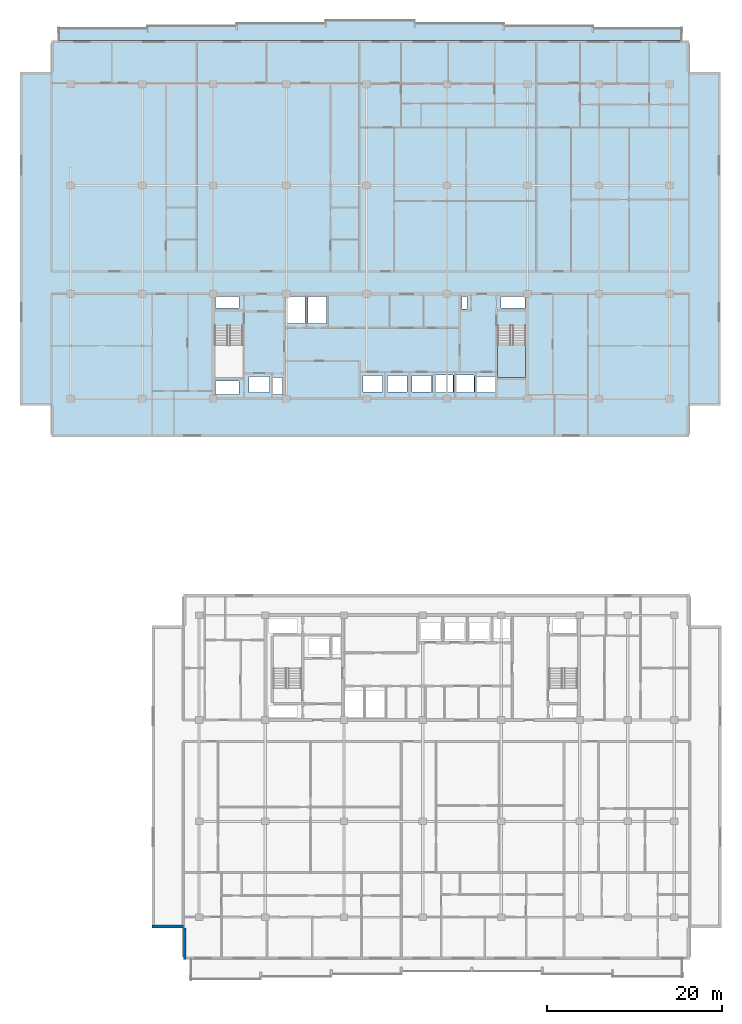
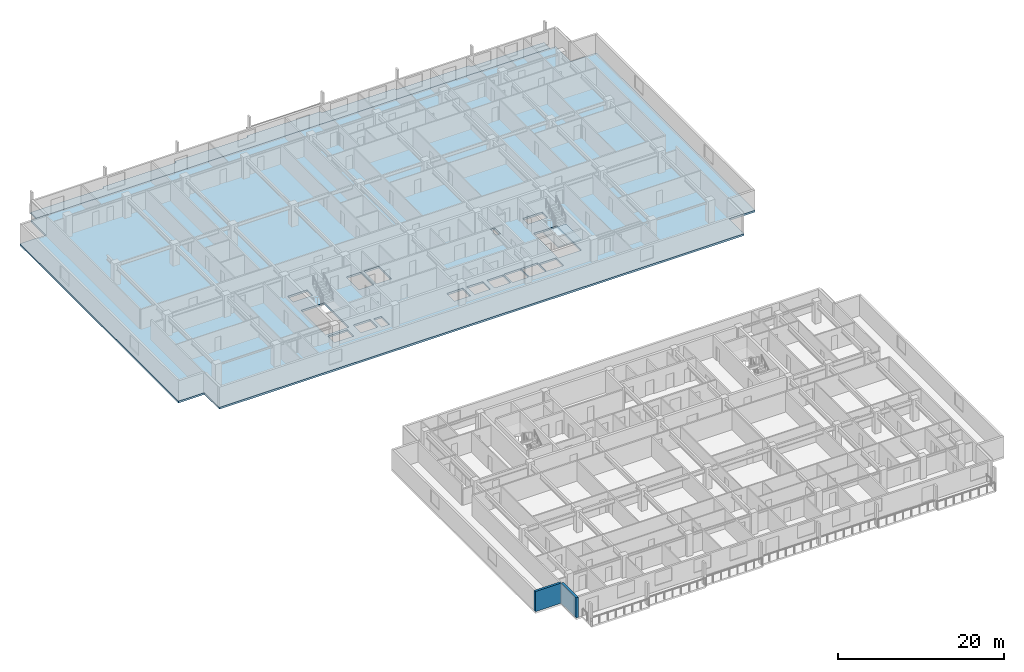
# One storey, part 3 of 22: 3 slabs, 2 walls, 1 element without a shape of its own.
"""IFC4 building model written with IfcOpenShell, lengths in metres."""

from ifc_helpers import new_model, si_unit, direction, frame, frame_2d, origin, place, context, subcontext, project, spatial, polyline, rectangle, outline, extrude, material, layer, layer_set, type_object, element, aggregate, save


model = new_model("IFC4")

# Units and contexts
model_context = context("Model", 3, precision=1e-05, world=origin(), true_north=direction((0.0, 1.0)))
body_context = subcontext(model_context, "Body", "Model", "MODEL_VIEW")
ifc_project = project(units=[si_unit("LENGTHUNIT", "METRE"), si_unit("AREAUNIT", "SQUARE_METRE"), si_unit("VOLUMEUNIT", "CUBIC_METRE"), si_unit("PLANEANGLEUNIT", "RADIAN"), si_unit("MASSUNIT", "GRAM", prefix="KILO")], contexts=[model_context])

# Site, building, storey
site_placement = place(None, origin())
site = spatial("IfcSite", under=ifc_project, at=site_placement, CompositionType="ELEMENT")
building_placement = place(site_placement, origin())
building = spatial("IfcBuilding", under=site, at=building_placement, Name="Korimba Cascade Residences", CompositionType="ELEMENT")
storey_placement = place(building_placement, frame((0.0, 0.0, 126.300048828125)))
storey = spatial("IfcBuildingStorey", under=building, at=storey_placement, Name="L36", CompositionType="ELEMENT", Elevation=126.300048828125)

# Stair, slab
ifc_material_1 = material(Name="Concrete C50/60", Category="concrete")
stair_type = type_object("IfcStairType", Name="STR-W2-18R-1806", PredefinedType="HALF_TURN_STAIR", material=ifc_material_1)
stair_placement = place(storey_placement, origin())
stair = element("IfcStair", 1, at=stair_placement, inside=storey, type_object=stair_type, Name="L36 Tower 1 East Fire Stair ST-W2", PredefinedType="HALF_TURN_STAIR")
ifc_layer_1 = layer(ifc_material_1, 0.199951171875)
ifc_layer_set_1 = layer_set([ifc_layer_1], Name="Concrete C50/60")
slab_type_1 = type_object("IfcSlabType", Name="SLB-LND-220", PredefinedType="LANDING", material=ifc_layer_set_1)
slab_1_placement = place(storey_placement, frame((0.0, 0.0, 1.425048828125)))
slab_1 = element("IfcSlab", 2, at=slab_1_placement, type_object=slab_type_1, Name="ST-W2 landing 1", PredefinedType="LANDING", context=body_context, shape_type="SweptSolid", body=[
    extrude(outline(polyline([(108.659912109375, 61.31005859375), (108.659912109375, 57.60009765625), (111.89990234375, 57.60009765625), (111.89990234375, 61.31005859375), (108.659912109375, 61.31005859375)])), origin(), (0.0, 0.0, 1.0), 0.199951171875),
])
aggregate(stair, [slab_1])

# Slabs
ifc_material_2 = material(Name="Precast concrete C40/50", Category="concrete")
ifc_layer_2 = layer(ifc_material_2, 0.239990234375)
ifc_layer_set_2 = layer_set([ifc_layer_2], Name="Precast concrete C40/50")
slab_type_2 = type_object("IfcSlabType", Name="SLB-LOG-240", PredefinedType="FLOOR", material=ifc_layer_set_2)
slab_2_placement = place(storey_placement, frame((0.0, 0.0, -0.239990234375)))
element("IfcSlab", 3, at=slab_2_placement, inside=storey, type_object=slab_type_2, Name="L36 Tower 1 North Loggia Slab", PredefinedType="FLOOR", context=body_context, shape_type="SweptSolid", body=[
    extrude(outline(polyline([(58.39990234375, 96.199951171875), (129.800048828125, 96.199951171875), (129.800048828125, 97.64990234375), (119.60009765625, 97.64990234375), (119.60009765625, 97.949951171875), (109.39990234375, 97.949951171875), (109.39990234375, 98.25), (99.199951171875, 98.25), (99.199951171875, 98.550048828125), (89.0, 98.550048828125), (89.0, 98.25), (78.800048828125, 98.25), (78.800048828125, 97.949951171875), (68.60009765625, 97.949951171875), (68.60009765625, 97.64990234375), (58.39990234375, 97.64990234375), (58.39990234375, 96.199951171875)])), origin(), (0.0, 0.0, 1.0), 0.239990234375),
])
ifc_layer_3 = layer(ifc_material_1, 0.280029296875)
ifc_layer_set_3 = layer_set([ifc_layer_3], Name="Concrete C50/60")
slab_type_3 = type_object("IfcSlabType", Name="SLB-TYP-280", PredefinedType="FLOOR", material=ifc_layer_set_3)
slab_3_placement = place(storey_placement, frame((0.0, 0.0, -0.280029296875)))
element("IfcSlab", 4, at=slab_3_placement, inside=storey, type_object=slab_type_3, Name="L36 Tower 1 Floor Slab", PredefinedType="FLOOR", context=body_context, shape_type="SweptSolid", body=[
    extrude(outline(polyline([(57.60009765625, 50.800048828125), (130.60009765625, 50.800048828125), (130.60009765625, 54.39990234375), (134.199951171875, 54.39990234375), (134.199951171875, 92.60009765625), (130.60009765625, 92.60009765625), (130.60009765625, 96.199951171875), (57.60009765625, 96.199951171875), (57.60009765625, 92.60009765625), (54.0, 92.60009765625), (54.0, 54.39990234375), (57.60009765625, 54.39990234375), (57.60009765625, 50.800048828125)]), holes=[polyline([(76.300048828125, 63.514892578125), (76.300048828125, 57.60009765625), (79.5400390625, 57.60009765625), (79.5400390625, 63.514892578125), (76.300048828125, 63.514892578125)]), polyline([(108.659912109375, 63.514892578125), (108.659912109375, 57.60009765625), (111.89990234375, 57.60009765625), (111.89990234375, 63.514892578125), (108.659912109375, 63.514892578125)]), polyline([(80.22998046875, 55.8798828125), (82.570068359375, 55.8798828125), (82.570068359375, 57.719970703125), (80.22998046875, 57.719970703125), (80.22998046875, 55.8798828125)]), polyline([(106.080078125, 55.8798828125), (108.419921875, 55.8798828125), (108.419921875, 57.719970703125), (106.080078125, 57.719970703125), (106.080078125, 55.8798828125)]), polyline([(93.280029296875, 55.97998046875), (95.52001953125, 55.97998046875), (95.52001953125, 57.820068359375), (93.280029296875, 57.820068359375), (93.280029296875, 55.97998046875)]), polyline([(96.080078125, 55.97998046875), (98.320068359375, 55.97998046875), (98.320068359375, 57.820068359375), (96.080078125, 57.820068359375), (96.080078125, 55.97998046875)]), polyline([(98.8798828125, 55.97998046875), (101.1201171875, 55.97998046875), (101.1201171875, 57.820068359375), (98.8798828125, 57.820068359375), (98.8798828125, 55.97998046875)]), polyline([(101.304931640625, 55.8798828125), (103.594970703125, 55.8798828125), (103.594970703125, 57.919921875), (101.304931640625, 57.919921875), (101.304931640625, 55.8798828125)]), polyline([(103.705078125, 55.8798828125), (105.9951171875, 55.8798828125), (105.9951171875, 57.919921875), (103.705078125, 57.919921875), (103.705078125, 55.8798828125)]), polyline([(82.97998046875, 55.679931640625), (84.080078125, 55.679931640625), (84.080078125, 57.6201171875), (82.97998046875, 57.6201171875), (82.97998046875, 55.679931640625)]), polyline([(76.39990234375, 65.56005859375), (79.10009765625, 65.56005859375), (79.10009765625, 66.8798828125), (76.39990234375, 66.8798828125), (76.39990234375, 65.56005859375)]), polyline([(76.39990234375, 55.679931640625), (79.10009765625, 55.679931640625), (79.10009765625, 57.239990234375), (76.39990234375, 57.239990234375), (76.39990234375, 55.679931640625)]), polyline([(84.530029296875, 63.820068359375), (86.6201171875, 63.820068359375), (86.6201171875, 66.8798828125), (84.530029296875, 66.8798828125), (84.530029296875, 63.820068359375)]), polyline([(86.97998046875, 63.820068359375), (89.070068359375, 63.820068359375), (89.070068359375, 66.8798828125), (86.97998046875, 66.8798828125), (86.97998046875, 63.820068359375)]), polyline([(104.6201171875, 65.4599609375), (105.179931640625, 65.4599609375), (105.179931640625, 66.8798828125), (104.6201171875, 66.8798828125), (104.6201171875, 65.4599609375)]), polyline([(109.080078125, 65.56005859375), (111.800048828125, 65.56005859375), (111.800048828125, 66.8798828125), (109.080078125, 66.8798828125), (109.080078125, 65.56005859375)])]), origin(), (0.0, 0.0, 1.0), 0.280029296875),
])

# Walls
ifc_layer_4 = layer(ifc_material_2, 0.300048828125)
ifc_layer_set_4 = layer_set([ifc_layer_4], Name="Precast concrete C40/50")
wall_type = type_object("IfcWallType", Name="EW-STONE-300", PredefinedType="STANDARD", material=ifc_layer_set_4)
wall_1_placement = place(storey_placement, frame((69.10009765625, -5.25, 0.0), z_axis=(0.0, 0.0, 1.0), x_axis=(1.0, 0.0, 0.0)))
element("IfcWall", 5, at=wall_1_placement, inside=storey, type_object=wall_type, Name="L36 T2 Perimeter Stone Wall E10", PredefinedType="STANDARD", context=body_context, shape_type="SweptSolid", body=[
    extrude(rectangle(XDim=3.599853515625, YDim=0.300048828125, at=frame_2d((1.7998046875, 0.0))), origin(), (0.0, 0.0, 1.0), 2.969970703125),
])
wall_2_placement = place(storey_placement, frame((72.85009765625, -5.39990234375, 0.0), z_axis=(0.0, 0.0, 1.0), x_axis=(0.0, -1.0, 0.0)))
element("IfcWall", 6, at=wall_2_placement, inside=storey, type_object=wall_type, Name="L36 T2 Perimeter Stone Wall E11", PredefinedType="STANDARD", context=body_context, shape_type="SweptSolid", body=[
    extrude(rectangle(XDim=3.60009765625, YDim=0.300048828125, at=frame_2d((1.800048828125, 0.0))), origin(), (0.0, 0.0, 1.0), 2.969970703125),
])

save(model, "model.ifc")
